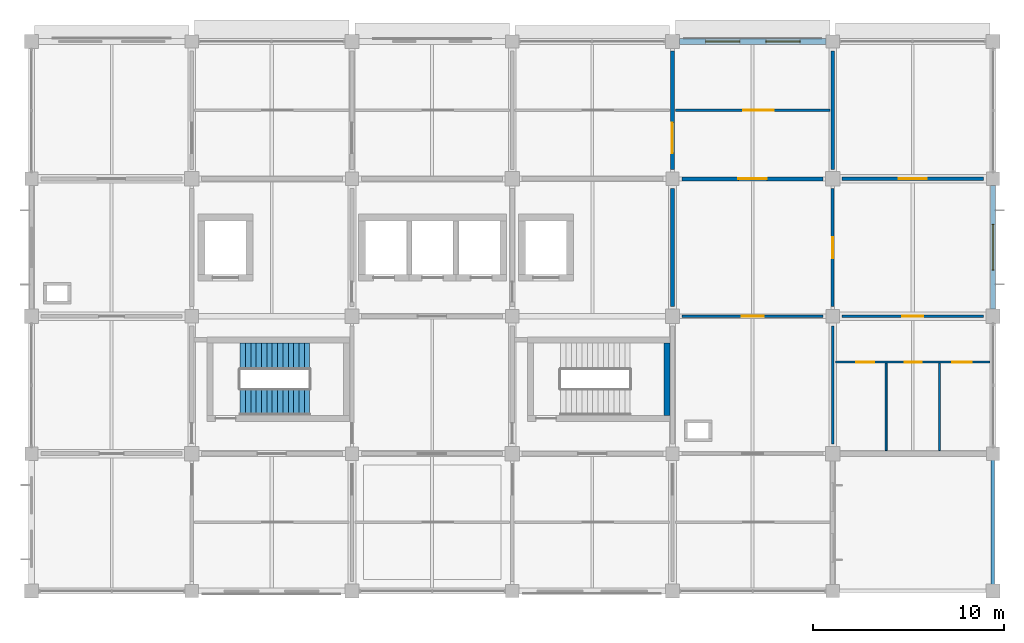
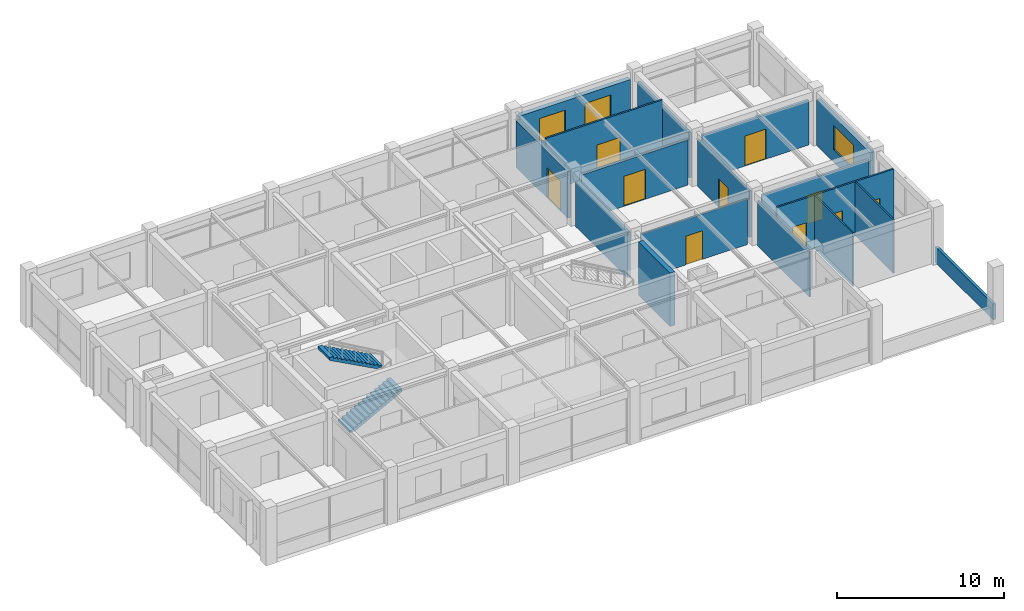
# One storey, part 11 of 14: 17 walls, 10 doors, 3 windows, 2 stair flights, 13 openings, 1 element without a shape of its own.
"""IFC4 building model written with IfcOpenShell, lengths in metres."""

from ifc_helpers import new_model, si_unit, derived_unit, direction, frame, frame_2d, origin, place, context, subcontext, project, spatial, polyline, rectangle, outline, extrude, material, layer, layer_set, type_object, element, fill, aggregate, save


model = new_model("IFC4")

# Units and contexts
model_context = context("Model", 3, precision=1e-05, world=origin(), true_north=direction((0.0, 1.0)))
body_context = subcontext(model_context, "Body", "Model", "MODEL_VIEW")
ifc_project = project(units=[si_unit("LENGTHUNIT", "METRE"), si_unit("AREAUNIT", "SQUARE_METRE"), si_unit("VOLUMEUNIT", "CUBIC_METRE"), si_unit("PLANEANGLEUNIT", "RADIAN"), si_unit("MASSUNIT", "GRAM", prefix="KILO"), derived_unit("THERMALTRANSMITTANCEUNIT", [(si_unit("MASSUNIT", "GRAM", prefix="KILO"), 1), (si_unit("TIMEUNIT", "SECOND"), -3), (si_unit("THERMODYNAMICTEMPERATUREUNIT", "KELVIN"), -1)])], contexts=[model_context])

# Site, building, storey
site_placement = place(None, origin())
site = spatial("IfcSite", under=ifc_project, at=site_placement, CompositionType="ELEMENT")
building_placement = place(site_placement, origin())
building = spatial("IfcBuilding", under=site, at=building_placement, Name="Veldstrom Oceanarium and Marine Research Institute", CompositionType="ELEMENT")
storey_placement = place(building_placement, frame((0.0, 0.0, 35.39990234375)))
storey = spatial("IfcBuildingStorey", under=building, at=storey_placement, Name="L07", CompositionType="ELEMENT", Elevation=35.39990234375)

# Wall, openings, windows
ifc_material_1 = material(Name="Masonry Cavity Wall", Category="masonry")
ifc_layer_1 = layer(ifc_material_1, 0.31005859375)
ifc_layer_set_1 = layer_set([ifc_layer_1], Name="ARC-WAL-EW1")
wall_type_1 = type_object("IfcWallType", Name="ARC-WAL-EW1", PredefinedType="SOLIDWALL", material=ifc_layer_set_1)
wall_1_placement = place(storey_placement, frame((101.175048828125, 72.0, 0.0), z_axis=(0.0, 0.0, 1.0), x_axis=(1.0, 0.0, 0.0)))
wall_1 = element("IfcWall", 1, at=wall_1_placement, inside=storey, type_object=wall_type_1, Name="Exterior Facade Wall EW1 L07-201", PredefinedType="SOLIDWALL", context=body_context, shape_type="SweptSolid", body=[
    extrude(rectangle(XDim=7.675048828125, YDim=0.31005859375, at=frame_2d((3.83740234375, 0.0))), origin(), (0.0, 0.0, 1.0), 3.364990234375),
])
opening_1_placement = place(wall_1_placement, frame((1.3583984375, 0.0, 0.89990234375)))
opening_1 = element("IfcOpeningElement", 2, at=opening_1_placement, cuts=wall_1, Name="Opening W03", PredefinedType="OPENING", context=body_context, shape_type="SweptSolid", body=[
    extrude(rectangle(XDim=1.800048828125, YDim=1.800048828125, at=frame_2d((0.89990234375, 0.89990234375))), frame((0.0, 0.1650390625, 0.0), z_axis=(0.0, -1.0, 0.0), x_axis=(1.0, 0.0, 0.0)), (0.0, 0.0, 1.0), 0.330078125),
])
opening_2_placement = place(wall_1_placement, frame((4.5166015625, 0.0, 0.89990234375)))
opening_2 = element("IfcOpeningElement", 3, at=opening_2_placement, cuts=wall_1, Name="Opening W03", PredefinedType="OPENING", context=body_context, shape_type="SweptSolid", body=[
    extrude(rectangle(XDim=1.800048828125, YDim=1.800048828125, at=frame_2d((0.89990234375, 0.89990234375))), frame((0.0, 0.1650390625, 0.0), z_axis=(0.0, -1.0, 0.0), x_axis=(1.0, 0.0, 0.0)), (0.0, 0.0, 1.0), 0.330078125),
])
ifc_material_2 = material(Name="Double Glazed Low-E IGU", Category="glass")
window_type_1 = type_object("IfcWindowType", Name="ARC-WIN-W03", PartitioningType="SINGLE_PANEL", PredefinedType="WINDOW", material=ifc_material_2)
window_1_placement = place(opening_1_placement, origin())
window_1 = element("IfcWindow", 4, at=window_1_placement, inside=storey, type_object=window_type_1, Name="Facade Window W03 L07-0173", OverallHeight=1.800048828125, OverallWidth=1.800048828125, PartitioningType="SINGLE_PANEL", PredefinedType="WINDOW", context=body_context, shape_type="SweptSolid", body=[
    extrude(rectangle(XDim=1.800048828125, YDim=1.800048828125, at=frame_2d((0.89990234375, 0.89990234375))), frame((0.0, 0.030029296875, 0.0), z_axis=(0.0, -1.0, 0.0), x_axis=(1.0, 0.0, 0.0)), (0.0, 0.0, 1.0), 0.06005859375),
])
fill(opening_1, window_1)
window_2_placement = place(opening_2_placement, origin())
window_2 = element("IfcWindow", 5, at=window_2_placement, inside=storey, type_object=window_type_1, Name="Facade Window W03 L07-0174", OverallHeight=1.800048828125, OverallWidth=1.800048828125, PartitioningType="SINGLE_PANEL", PredefinedType="WINDOW", context=body_context, shape_type="SweptSolid", body=[
    extrude(rectangle(XDim=1.800048828125, YDim=1.800048828125, at=frame_2d((0.89990234375, 0.89990234375))), frame((0.0, 0.030029296875, 0.0), z_axis=(0.0, -1.0, 0.0), x_axis=(1.0, 0.0, 0.0)), (0.0, 0.0, 1.0), 0.06005859375),
])
fill(opening_2, window_2)

# Wall, opening, window
ifc_material_3 = material(Name="Masonry Cavity Wall", Category="masonry")
ifc_layer_2 = layer(ifc_material_3, 0.27001953125)
ifc_layer_set_2 = layer_set([ifc_layer_2], Name="ARC-WAL-EW3")
wall_type_2 = type_object("IfcWallType", Name="ARC-WAL-EW3", PredefinedType="SOLIDWALL", material=ifc_layer_set_2)
wall_2_placement = place(storey_placement, frame((117.60009765625, 57.97509765625, 0.0), z_axis=(0.0, 0.0, 1.0), x_axis=(0.0, 1.0, 0.0)))
wall_2 = element("IfcWall", 6, at=wall_2_placement, inside=storey, type_object=wall_type_2, Name="Exterior Facade Wall EW3 L07-203", PredefinedType="SOLIDWALL", context=body_context, shape_type="SweptSolid", body=[
    extrude(rectangle(XDim=6.474853515625, YDim=0.27001953125, at=frame_2d((3.2373046875, 0.0))), origin(), (0.0, 0.0, 1.0), 3.364990234375),
])
opening_3_placement = place(wall_2_placement, frame((2.03759765625, 0.0, 0.89990234375)))
opening_3 = element("IfcOpeningElement", 7, at=opening_3_placement, cuts=wall_2, Name="Opening W01", PredefinedType="OPENING", context=body_context, shape_type="SweptSolid", body=[
    extrude(rectangle(XDim=2.39990234375, YDim=1.800048828125, at=frame_2d((1.199951171875, 0.89990234375))), frame((0.0, 0.14501953125, 0.0), z_axis=(0.0, -1.0, 0.0), x_axis=(1.0, 0.0, 0.0)), (0.0, 0.0, 1.0), 0.2900390625),
])
ifc_material_4 = material(Name="Double Glazed Low-E IGU", Category="glass")
window_type_2 = type_object("IfcWindowType", Name="ARC-WIN-W01", PartitioningType="SINGLE_PANEL", PredefinedType="WINDOW", material=ifc_material_4)
window_3_placement = place(opening_3_placement, origin())
window_3 = element("IfcWindow", 8, at=window_3_placement, inside=storey, type_object=window_type_2, Name="Facade Window W01 L07-0175", OverallHeight=1.800048828125, OverallWidth=2.39990234375, PartitioningType="SINGLE_PANEL", PredefinedType="WINDOW", context=body_context, shape_type="SweptSolid", body=[
    extrude(rectangle(XDim=2.39990234375, YDim=1.800048828125, at=frame_2d((1.199951171875, 0.89990234375))), frame((0.0, 0.030029296875, 0.0), z_axis=(0.0, -1.0, 0.0), x_axis=(1.0, 0.0, 0.0)), (0.0, 0.0, 1.0), 0.06005859375),
])
fill(opening_3, window_3)

# Walls
ifc_material_5 = material(Name="Masonry Cavity Wall", Category="masonry")
ifc_layer_3 = layer(ifc_material_5, 0.18505859375)
ifc_layer_set_3 = layer_set([ifc_layer_3], Name="ARC-WAL-PR2")
wall_type_3 = type_object("IfcWallType", Name="ARC-WAL-PR2", PredefinedType="PARAPET", material=ifc_layer_set_3)
wall_3_placement = place(storey_placement, frame((117.60009765625, 43.320068359375, 0.0), z_axis=(0.0, 0.0, 1.0), x_axis=(0.0, 1.0, 0.0)))
element("IfcWall", 9, at=wall_3_placement, inside=storey, type_object=wall_type_3, Name="Roof Parapet Wall L06-104", PredefinedType="PARAPET", context=body_context, shape_type="SweptSolid", body=[
    extrude(rectangle(XDim=6.9599609375, YDim=0.18505859375, at=frame_2d((3.47998046875, 0.0))), origin(), (0.0, 0.0, 1.0), 1.150146484375),
])
ifc_material_6 = material(Name="Masonry Fire Compartment Wall", Category="masonry")
ifc_layer_4 = layer(ifc_material_6, 0.22998046875)
ifc_layer_set_4 = layer_set([ifc_layer_4], Name="ARC-WAL-PT1")
wall_type_4 = type_object("IfcWallType", Name="ARC-WAL-PT1", PredefinedType="PARTITIONING", material=ifc_layer_set_4)
wall_4_placement = place(storey_placement, frame((100.800048828125, 58.10009765625, 0.0), z_axis=(0.0, 0.0, 1.0), x_axis=(0.0, 1.0, 0.0)))
element("IfcWall", 10, at=wall_4_placement, inside=storey, type_object=wall_type_4, Name="Interior Partition PT1 L07-1544", PredefinedType="PARTITIONING", context=body_context, shape_type="SweptSolid", body=[
    extrude(rectangle(XDim=6.199951171875, YDim=0.22998046875, at=frame_2d((3.10009765625, 0.0))), origin(), (0.0, 0.0, 1.0), 3.315185546875),
])

# Wall, opening, door
ifc_material_7 = material(Name="Gypsum Acoustic Lab Partition", Category="gypsum")
ifc_layer_5 = layer(ifc_material_7, 0.1201171875)
ifc_layer_set_5 = layer_set([ifc_layer_5], Name="ARC-WAL-PT10")
wall_type_5 = type_object("IfcWallType", Name="ARC-WAL-PT10", PredefinedType="PARTITIONING", material=ifc_layer_set_5)
wall_5_placement = place(storey_placement, frame((100.949951171875, 68.39990234375, 0.0), z_axis=(0.0, 0.0, 1.0), x_axis=(1.0, 0.0, 0.0)))
wall_5 = element("IfcWall", 11, at=wall_5_placement, inside=storey, type_object=wall_type_5, Name="Laboratory Suite Partition L07-12/9", PredefinedType="PARTITIONING", context=body_context, shape_type="SweptSolid", body=[
    extrude(rectangle(XDim=8.10009765625, YDim=0.1201171875, at=frame_2d((4.050048828125, 0.0))), origin(), (0.0, 0.0, 1.0), 3.920166015625),
])
opening_4_placement = place(wall_5_placement, frame((3.550048828125, 0.0, 0.0)))
opening_4 = element("IfcOpeningElement", 12, at=opening_4_placement, cuts=wall_5, Name="Opening D-L07-S912", PredefinedType="OPENING", context=body_context, shape_type="SweptSolid", body=[
    extrude(rectangle(XDim=1.60009765625, YDim=2.199951171875, at=frame_2d((0.800048828125, 1.10009765625))), frame((0.0, 0.070068359375, 0.0), z_axis=(0.0, -1.0, 0.0), x_axis=(1.0, 0.0, 0.0)), (0.0, 0.0, 1.0), 0.14013671875),
])
ifc_material_8 = material(Name="Acoustic Timber Corridor Door", Category="wood")
door_type_1 = type_object("IfcDoorType", Name="ARC-DOR-ID02", OperationType="DOUBLE_DOOR_SINGLE_SWING", PredefinedType="DOOR", material=ifc_material_8)
door_1_placement = place(opening_4_placement, origin())
door_1 = element("IfcDoor", 13, at=door_1_placement, inside=storey, type_object=door_type_1, Name="Suite Interior Door D-L07-S912", OperationType="SINGLE_SWING_RIGHT", OverallHeight=2.199951171875, OverallWidth=1.60009765625, PredefinedType="DOOR", context=body_context, shape_type="SweptSolid", body=[
    extrude(rectangle(XDim=1.60009765625, YDim=2.199951171875, at=frame_2d((0.800048828125, 1.10009765625))), frame((0.0, 0.02490234375, 0.0), z_axis=(0.0, -1.0, 0.0), x_axis=(1.0, 0.0, 0.0)), (0.0, 0.0, 1.0), 0.050048828125),
])
fill(opening_4, door_1)

ifc_material_9 = material(Name="Masonry Acoustic Lab Partition", Category="masonry")
ifc_layer_6 = layer(ifc_material_9, 0.205078125)
ifc_layer_set_6 = layer_set([ifc_layer_6], Name="ARC-WAL-PT2")
wall_type_6 = type_object("IfcWallType", Name="ARC-WAL-PT2", PredefinedType="PARTITIONING", material=ifc_layer_set_6)
wall_6_placement = place(storey_placement, frame((100.800048828125, 65.300048828125, 0.0), z_axis=(0.0, 0.0, 1.0), x_axis=(0.0, 1.0, 0.0)))
wall_6 = element("IfcWall", 14, at=wall_6_placement, inside=storey, type_object=wall_type_6, Name="Interior Partition PT2 L07-1546", PredefinedType="PARTITIONING", context=body_context, shape_type="SweptSolid", body=[
    extrude(rectangle(XDim=6.199951171875, YDim=0.205078125, at=frame_2d((3.10009765625, 0.0))), origin(), (0.0, 0.0, 1.0), 3.4150390625),
])
opening_5_placement = place(wall_6_placement, frame((0.85009765625, 0.0, 0.0)))
opening_5 = element("IfcOpeningElement", 15, at=opening_5_placement, cuts=wall_6, Name="Opening D-L07-931", PredefinedType="OPENING", context=body_context, shape_type="SweptSolid", body=[
    extrude(rectangle(XDim=1.60009765625, YDim=2.199951171875, at=frame_2d((0.800048828125, 1.10009765625))), frame((0.0, 0.112548828125, 0.0), z_axis=(0.0, -1.0, 0.0), x_axis=(1.0, 0.0, 0.0)), (0.0, 0.0, 1.0), 0.22509765625),
])
door_2_placement = place(opening_5_placement, origin())
door_2 = element("IfcDoor", 16, at=door_2_placement, inside=storey, type_object=door_type_1, Name="Interior Door D-L07-931", OperationType="DOUBLE_DOOR_SINGLE_SWING", OverallHeight=2.199951171875, OverallWidth=1.60009765625, PredefinedType="DOOR", context=body_context, shape_type="SweptSolid", body=[
    extrude(rectangle(XDim=1.60009765625, YDim=2.199951171875, at=frame_2d((0.800048828125, 1.10009765625))), frame((0.0, 0.02490234375, 0.0), z_axis=(0.0, -1.0, 0.0), x_axis=(1.0, 0.0, 0.0)), (0.0, 0.0, 1.0), 0.050048828125),
])
fill(opening_5, door_2)

wall_7_placement = place(storey_placement, frame((101.300048828125, 64.800048828125, 0.0), z_axis=(0.0, 0.0, 1.0), x_axis=(1.0, 0.0, 0.0)))
wall_7 = element("IfcWall", 17, at=wall_7_placement, inside=storey, type_object=wall_type_6, Name="Interior Partition PT2 L07-1551", PredefinedType="PARTITIONING", context=body_context, shape_type="SweptSolid", body=[
    extrude(rectangle(XDim=7.39990234375, YDim=0.205078125, at=frame_2d((3.699951171875, 0.0))), origin(), (0.0, 0.0, 1.0), 3.315185546875),
])
opening_6_placement = place(wall_7_placement, frame((2.949951171875, 0.0, 0.0)))
opening_6 = element("IfcOpeningElement", 18, at=opening_6_placement, cuts=wall_7, Name="Opening D-L07-935", PredefinedType="OPENING", context=body_context, shape_type="SweptSolid", body=[
    extrude(rectangle(XDim=1.5, YDim=2.199951171875, at=frame_2d((0.75, 1.10009765625))), frame((0.0, 0.112548828125, 0.0), z_axis=(0.0, -1.0, 0.0), x_axis=(1.0, 0.0, 0.0)), (0.0, 0.0, 1.0), 0.22509765625),
])
ifc_material_10 = material(Name="Laboratory Double Leaf Door", Category="timber")
door_type_2 = type_object("IfcDoorType", Name="ARC-DOR-ID03", OperationType="DOUBLE_DOOR_SINGLE_SWING", PredefinedType="DOOR", material=ifc_material_10)
door_3_placement = place(opening_6_placement, frame((1.5, 0.0, 0.0), z_axis=(0.0, 0.0, 1.0), x_axis=(-1.0, 0.0, 0.0)))
door_3 = element("IfcDoor", 19, at=door_3_placement, inside=storey, type_object=door_type_2, Name="Interior Door D-L07-935", OperationType="DOUBLE_DOOR_SINGLE_SWING", OverallHeight=2.199951171875, OverallWidth=1.5, PredefinedType="DOOR", context=body_context, shape_type="SweptSolid", body=[
    extrude(rectangle(XDim=1.5, YDim=2.199951171875, at=frame_2d((0.75, 1.10009765625))), frame((0.0, 0.02490234375, 0.0), z_axis=(0.0, -1.0, 0.0), x_axis=(1.0, 0.0, 0.0)), (0.0, 0.0, 1.0), 0.050048828125),
])
fill(opening_6, door_3)

# Wall
ifc_material_11 = material(Name="Drywall Acoustic Partition", Category="gypsum")
ifc_layer_7 = layer(ifc_material_11, 0.175048828125)
ifc_layer_set_7 = layer_set([ifc_layer_7], Name="ARC-WAL-PT3")
wall_type_7 = type_object("IfcWallType", Name="ARC-WAL-PT3", PredefinedType="PARTITIONING", material=ifc_layer_set_7)
wall_8_placement = place(storey_placement, frame((109.199951171875, 65.300048828125, 0.0), z_axis=(0.0, 0.0, 1.0), x_axis=(0.0, 1.0, 0.0)))
element("IfcWall", 20, at=wall_8_placement, inside=storey, type_object=wall_type_7, Name="Interior Partition PT3 L07-1552", PredefinedType="PARTITIONING", context=body_context, shape_type="SweptSolid", body=[
    extrude(rectangle(XDim=6.199951171875, YDim=0.175048828125, at=frame_2d((3.10009765625, 0.0))), origin(), (0.0, 0.0, 1.0), 3.315185546875),
])

# Wall, opening, door
wall_9_placement = place(storey_placement, frame((109.699951171875, 64.800048828125, 0.0), z_axis=(0.0, 0.0, 1.0), x_axis=(1.0, 0.0, 0.0)))
wall_9 = element("IfcWall", 21, at=wall_9_placement, inside=storey, type_object=wall_type_7, Name="Interior Partition PT3 L07-1554", PredefinedType="PARTITIONING", context=body_context, shape_type="SweptSolid", body=[
    extrude(rectangle(XDim=7.400146484375, YDim=0.175048828125, at=frame_2d((3.7001953125, 0.0))), origin(), (0.0, 0.0, 1.0), 3.26513671875),
])
opening_7_placement = place(wall_9_placement, frame((2.97509765625, 0.0, 0.0)))
opening_7 = element("IfcOpeningElement", 22, at=opening_7_placement, cuts=wall_9, Name="Opening D-L07-937", PredefinedType="OPENING", context=body_context, shape_type="SweptSolid", body=[
    extrude(rectangle(XDim=1.449951171875, YDim=2.199951171875, at=frame_2d((0.72509765625, 1.10009765625))), frame((0.0, 0.097412109375, 0.0), z_axis=(0.0, -1.0, 0.0), x_axis=(1.0, 0.0, 0.0)), (0.0, 0.0, 1.0), 0.195068359375),
])
ifc_material_12 = material(Name="Curatorial Archive Door", Category="timber")
door_type_3 = type_object("IfcDoorType", Name="ARC-DOR-ID14", OperationType="DOUBLE_DOOR_SINGLE_SWING", PredefinedType="DOOR", material=ifc_material_12)
door_4_placement = place(opening_7_placement, origin())
door_4 = element("IfcDoor", 23, at=door_4_placement, inside=storey, type_object=door_type_3, Name="Interior Door D-L07-937", OperationType="DOUBLE_DOOR_SINGLE_SWING", OverallHeight=2.199951171875, OverallWidth=1.449951171875, PredefinedType="DOOR", context=body_context, shape_type="SweptSolid", body=[
    extrude(rectangle(XDim=1.449951171875, YDim=2.199951171875, at=frame_2d((0.72509765625, 1.10009765625))), frame((0.0, 0.02490234375, 0.0), z_axis=(0.0, -1.0, 0.0), x_axis=(1.0, 0.0, 0.0)), (0.0, 0.0, 1.0), 0.050048828125),
])
fill(opening_7, door_4)

ifc_material_13 = material(Name="Drywall Corridor Partition", Category="gypsum")
ifc_layer_8 = layer(ifc_material_13, 0.155029296875)
ifc_layer_set_8 = layer_set([ifc_layer_8], Name="ARC-WAL-PT4")
wall_type_8 = type_object("IfcWallType", Name="ARC-WAL-PT4", PredefinedType="PARTITIONING", material=ifc_layer_set_8)
wall_10_placement = place(storey_placement, frame((109.199951171875, 58.10009765625, 0.0), z_axis=(0.0, 0.0, 1.0), x_axis=(0.0, 1.0, 0.0)))
wall_10 = element("IfcWall", 24, at=wall_10_placement, inside=storey, type_object=wall_type_8, Name="Interior Partition PT4 L07-1550", PredefinedType="PARTITIONING", context=body_context, shape_type="SweptSolid", body=[
    extrude(rectangle(XDim=6.199951171875, YDim=0.155029296875, at=frame_2d((3.10009765625, 0.0))), origin(), (0.0, 0.0, 1.0), 3.4150390625),
])
opening_8_placement = place(wall_10_placement, frame((2.550048828125, 0.0, 0.0)))
opening_8 = element("IfcOpeningElement", 25, at=opening_8_placement, cuts=wall_10, Name="Opening D-L07-934", PredefinedType="OPENING", context=body_context, shape_type="SweptSolid", body=[
    extrude(rectangle(XDim=1.10009765625, YDim=2.10009765625, at=frame_2d((0.550048828125, 1.050048828125))), frame((0.0, 0.08740234375, 0.0), z_axis=(0.0, -1.0, 0.0), x_axis=(1.0, 0.0, 0.0)), (0.0, 0.0, 1.0), 0.175048828125),
])
ifc_material_14 = material(Name="Research Office Door", Category="timber")
door_type_4 = type_object("IfcDoorType", Name="ARC-DOR-ID07", OperationType="SINGLE_SWING_LEFT", PredefinedType="DOOR", material=ifc_material_14)
door_5_placement = place(opening_8_placement, origin())
door_5 = element("IfcDoor", 26, at=door_5_placement, inside=storey, type_object=door_type_4, Name="Interior Door D-L07-934", OperationType="SINGLE_SWING_RIGHT", OverallHeight=2.10009765625, OverallWidth=1.10009765625, PredefinedType="DOOR", context=body_context, shape_type="SweptSolid", body=[
    extrude(rectangle(XDim=1.10009765625, YDim=2.10009765625, at=frame_2d((0.550048828125, 1.050048828125))), frame((0.0, 0.02490234375, 0.0), z_axis=(0.0, -1.0, 0.0), x_axis=(1.0, 0.0, 0.0)), (0.0, 0.0, 1.0), 0.050048828125),
])
fill(opening_8, door_5)

wall_11_placement = place(storey_placement, frame((109.699951171875, 57.60009765625, 0.0), z_axis=(0.0, 0.0, 1.0), x_axis=(1.0, 0.0, 0.0)))
wall_11 = element("IfcWall", 27, at=wall_11_placement, inside=storey, type_object=wall_type_8, Name="Interior Partition PT4 L07-1553", PredefinedType="PARTITIONING", context=body_context, shape_type="SweptSolid", body=[
    extrude(rectangle(XDim=7.400146484375, YDim=0.155029296875, at=frame_2d((3.7001953125, 0.0))), origin(), (0.0, 0.0, 1.0), 3.26513671875),
])
opening_9_placement = place(wall_11_placement, frame((3.14990234375, 0.0, 0.0)))
opening_9 = element("IfcOpeningElement", 28, at=opening_9_placement, cuts=wall_11, Name="Opening D-L07-936", PredefinedType="OPENING", context=body_context, shape_type="SweptSolid", body=[
    extrude(rectangle(XDim=1.10009765625, YDim=2.10009765625, at=frame_2d((0.550048828125, 1.050048828125))), frame((0.0, 0.08740234375, 0.0), z_axis=(0.0, -1.0, 0.0), x_axis=(1.0, 0.0, 0.0)), (0.0, 0.0, 1.0), 0.175048828125),
])
door_6_placement = place(opening_9_placement, frame((1.10009765625, 0.0, 0.0), z_axis=(0.0, 0.0, 1.0), x_axis=(-1.0, 0.0, 0.0)))
door_6 = element("IfcDoor", 29, at=door_6_placement, inside=storey, type_object=door_type_4, Name="Interior Door D-L07-936", OperationType="SINGLE_SWING_LEFT", OverallHeight=2.10009765625, OverallWidth=1.10009765625, PredefinedType="DOOR", context=body_context, shape_type="SweptSolid", body=[
    extrude(rectangle(XDim=1.10009765625, YDim=2.10009765625, at=frame_2d((0.550048828125, 1.050048828125))), frame((0.0, 0.02490234375, 0.0), z_axis=(0.0, -1.0, 0.0), x_axis=(1.0, 0.0, 0.0)), (0.0, 0.0, 1.0), 0.050048828125),
])
fill(opening_9, door_6)

ifc_material_15 = material(Name="Moisture-Resistant Wet-Area Partition", Category="masonry")
ifc_layer_9 = layer(ifc_material_15, 0.139892578125)
ifc_layer_set_9 = layer_set([ifc_layer_9], Name="ARC-WAL-PT5")
wall_type_9 = type_object("IfcWallType", Name="ARC-WAL-PT5", PredefinedType="PARTITIONING", material=ifc_layer_set_9)
wall_12_placement = place(storey_placement, frame((101.300048828125, 57.60009765625, 0.0), z_axis=(0.0, 0.0, 1.0), x_axis=(1.0, 0.0, 0.0)))
wall_12 = element("IfcWall", 30, at=wall_12_placement, inside=storey, type_object=wall_type_9, Name="Interior Partition PT5 L07-1549", PredefinedType="PARTITIONING", context=body_context, shape_type="SweptSolid", body=[
    extrude(rectangle(XDim=7.39990234375, YDim=0.139892578125, at=frame_2d((3.699951171875, 0.0))), origin(), (0.0, 0.0, 1.0), 3.315185546875),
])
opening_10_placement = place(wall_12_placement, frame((3.125, 0.0, 0.0)))
opening_10 = element("IfcOpeningElement", 31, at=opening_10_placement, cuts=wall_12, Name="Opening D-L07-933", PredefinedType="OPENING", context=body_context, shape_type="SweptSolid", body=[
    extrude(rectangle(XDim=1.14990234375, YDim=2.10009765625, at=frame_2d((0.574951171875, 1.050048828125))), frame((0.0, 0.079833984375, 0.0), z_axis=(0.0, -1.0, 0.0), x_axis=(1.0, 0.0, 0.0)), (0.0, 0.0, 1.0), 0.159912109375),
])
ifc_material_16 = material(Name="Fellows Studio Door", Category="timber")
door_type_5 = type_object("IfcDoorType", Name="ARC-DOR-ID17", OperationType="SINGLE_SWING_LEFT", PredefinedType="DOOR", material=ifc_material_16)
door_7_placement = place(opening_10_placement, origin())
door_7 = element("IfcDoor", 32, at=door_7_placement, inside=storey, type_object=door_type_5, Name="Interior Door D-L07-933", OperationType="SINGLE_SWING_LEFT", OverallHeight=2.10009765625, OverallWidth=1.14990234375, PredefinedType="DOOR", context=body_context, shape_type="SweptSolid", body=[
    extrude(rectangle(XDim=1.14990234375, YDim=2.10009765625, at=frame_2d((0.574951171875, 1.050048828125))), frame((0.0, 0.02490234375, 0.0), z_axis=(0.0, -1.0, 0.0), x_axis=(1.0, 0.0, 0.0)), (0.0, 0.0, 1.0), 0.050048828125),
])
fill(opening_10, door_7)

# Wall, openings, doors
ifc_material_17 = material(Name="Lightweight Studio Partition", Category="gypsum")
ifc_layer_10 = layer(ifc_material_17, 0.1201171875)
ifc_layer_set_10 = layer_set([ifc_layer_10], Name="ARC-WAL-PT6")
wall_type_10 = type_object("IfcWallType", Name="ARC-WAL-PT6", PredefinedType="PARTITIONING", material=ifc_layer_set_10)
wall_13_placement = place(storey_placement, frame((109.35009765625, 55.199951171875, 0.0), z_axis=(0.0, 0.0, 1.0), x_axis=(1.0, 0.0, 0.0)))
wall_13 = element("IfcWall", 33, at=wall_13_placement, inside=storey, type_object=wall_type_10, Name="Sanitary Vestibule Partition L07-13", PredefinedType="PARTITIONING", context=body_context, shape_type="SweptSolid", body=[
    extrude(rectangle(XDim=8.099853515625, YDim=0.1201171875, at=frame_2d((4.0498046875, 0.0))), origin(), (0.0, 0.0, 1.0), 3.920166015625),
])
opening_11_placement = place(wall_13_placement, frame((1.080078125, 0.0, 0.0)))
opening_11 = element("IfcOpeningElement", 34, at=opening_11_placement, cuts=wall_13, Name="Opening D-L07-WC902", PredefinedType="OPENING", context=body_context, shape_type="SweptSolid", body=[
    extrude(rectangle(XDim=0.949951171875, YDim=2.10009765625, at=frame_2d((0.47509765625, 1.050048828125))), frame((0.0, 0.070068359375, 0.0), z_axis=(0.0, -1.0, 0.0), x_axis=(1.0, 0.0, 0.0)), (0.0, 0.0, 1.0), 0.14013671875),
])
opening_12_placement = place(wall_13_placement, frame((3.6298828125, 0.0, 0.0)))
opening_12 = element("IfcOpeningElement", 35, at=opening_12_placement, cuts=wall_13, Name="Opening D-L07-WC903", PredefinedType="OPENING", context=body_context, shape_type="SweptSolid", body=[
    extrude(rectangle(XDim=0.89990234375, YDim=2.10009765625, at=frame_2d((0.449951171875, 1.050048828125))), frame((0.0, 0.070068359375, 0.0), z_axis=(0.0, -1.0, 0.0), x_axis=(1.0, 0.0, 0.0)), (0.0, 0.0, 1.0), 0.14013671875),
])
opening_13_placement = place(wall_13_placement, frame((6.1298828125, 0.0, 0.0)))
opening_13 = element("IfcOpeningElement", 36, at=opening_13_placement, cuts=wall_13, Name="Opening D-L07-WC904", PredefinedType="OPENING", context=body_context, shape_type="SweptSolid", body=[
    extrude(rectangle(XDim=1.0, YDim=2.10009765625, at=frame_2d((0.5, 1.050048828125))), frame((0.0, 0.070068359375, 0.0), z_axis=(0.0, -1.0, 0.0), x_axis=(1.0, 0.0, 0.0)), (0.0, 0.0, 1.0), 0.14013671875),
])
ifc_material_18 = material(Name="Accessible Sanitary Door", Category="timber")
door_type_6 = type_object("IfcDoorType", Name="ARC-DOR-ID08", OperationType="SINGLE_SWING_RIGHT", PredefinedType="DOOR", material=ifc_material_18)
door_8_placement = place(opening_13_placement, frame((1.0, 0.0, 0.0), z_axis=(0.0, 0.0, 1.0), x_axis=(-1.0, 0.0, 0.0)))
door_8 = element("IfcDoor", 37, at=door_8_placement, inside=storey, type_object=door_type_6, Name="Accessible WC Door D-L07-WC904", OperationType="SINGLE_SWING_RIGHT", OverallHeight=2.10009765625, OverallWidth=1.0, PredefinedType="DOOR", context=body_context, shape_type="SweptSolid", body=[
    extrude(rectangle(XDim=1.0, YDim=2.10009765625, at=frame_2d((0.5, 1.050048828125))), frame((0.0, 0.02490234375, 0.0), z_axis=(0.0, -1.0, 0.0), x_axis=(1.0, 0.0, 0.0)), (0.0, 0.0, 1.0), 0.050048828125),
])
fill(opening_13, door_8)
ifc_material_19 = material(Name="Staff Sanitary Door", Category="timber")
door_type_7 = type_object("IfcDoorType", Name="ARC-DOR-ID09", OperationType="SINGLE_SWING_LEFT", PredefinedType="DOOR", material=ifc_material_19)
door_9_placement = place(opening_11_placement, frame((0.949951171875, 0.0, 0.0), z_axis=(0.0, 0.0, 1.0), x_axis=(-1.0, 0.0, 0.0)))
door_9 = element("IfcDoor", 38, at=door_9_placement, inside=storey, type_object=door_type_7, Name="Male WC Door D-L07-WC902", OperationType="SINGLE_SWING_RIGHT", OverallHeight=2.10009765625, OverallWidth=0.949951171875, PredefinedType="DOOR", context=body_context, shape_type="SweptSolid", body=[
    extrude(rectangle(XDim=0.949951171875, YDim=2.10009765625, at=frame_2d((0.47509765625, 1.050048828125))), frame((0.0, 0.02490234375, 0.0), z_axis=(0.0, -1.0, 0.0), x_axis=(1.0, 0.0, 0.0)), (0.0, 0.0, 1.0), 0.050048828125),
])
fill(opening_11, door_9)
ifc_material_20 = material(Name="Internal Sanitary Door", Category="timber")
door_type_8 = type_object("IfcDoorType", Name="ARC-DOR-ID10", OperationType="SINGLE_SWING_RIGHT", PredefinedType="DOOR", material=ifc_material_20)
door_10_placement = place(opening_12_placement, frame((0.89990234375, 0.0, 0.0), z_axis=(0.0, 0.0, 1.0), x_axis=(-1.0, 0.0, 0.0)))
door_10 = element("IfcDoor", 39, at=door_10_placement, inside=storey, type_object=door_type_8, Name="Female WC Door D-L07-WC903", OperationType="SINGLE_SWING_LEFT", OverallHeight=2.10009765625, OverallWidth=0.89990234375, PredefinedType="DOOR", context=body_context, shape_type="SweptSolid", body=[
    extrude(rectangle(XDim=0.89990234375, YDim=2.10009765625, at=frame_2d((0.449951171875, 1.050048828125))), frame((0.0, 0.02490234375, 0.0), z_axis=(0.0, -1.0, 0.0), x_axis=(1.0, 0.0, 0.0)), (0.0, 0.0, 1.0), 0.050048828125),
])
fill(opening_12, door_10)

# Walls
wall_14_placement = place(storey_placement, frame((109.199951171875, 50.89990234375, 0.0), z_axis=(0.0, 0.0, 1.0), x_axis=(0.0, 1.0, 0.0)))
element("IfcWall", 40, at=wall_14_placement, inside=storey, type_object=wall_type_10, Name="Interior Partition PT6 L07-1548", PredefinedType="PARTITIONING", context=body_context, shape_type="SweptSolid", body=[
    extrude(rectangle(XDim=6.2001953125, YDim=0.1201171875, at=frame_2d((3.10009765625, 0.0))), origin(), (0.0, 0.0, 1.0), 3.315185546875),
])
ifc_material_21 = material(Name="Sanitary Cubicle Partition", Category="gypsum")
ifc_layer_11 = layer(ifc_material_21, 0.10009765625)
ifc_layer_set_11 = layer_set([ifc_layer_11], Name="ARC-WAL-PT7")
wall_type_11 = type_object("IfcWallType", Name="ARC-WAL-PT7", PredefinedType="PARTITIONING", material=ifc_layer_set_11)
for number, where, z_axis, x_axis, name in (
    (41, (112.0, 50.550048828125, 0.0), (0.0, 0.0, 1.0), (0.0, 1.0, 0.0), "Sanitary Stall Divider Wall L07-1509"),
    (42, (114.800048828125, 50.550048828125, 0.0), (0.0, 0.0, 1.0), (0.0, 1.0, 0.0), "Sanitary Stall Divider Wall L07-1510"),
):
    element("IfcWall", number, at=place(storey_placement, frame(where, z_axis=z_axis, x_axis=x_axis)), inside=storey, type_object=wall_type_11, Name=name, PredefinedType="PARTITIONING", context=body_context, shape_type="SweptSolid", body=[
        extrude(rectangle(XDim=4.58984375, YDim=0.10009765625, at=frame_2d((2.294921875, 0.0))), origin(), (0.0, 0.0, 1.0), 3.920166015625),
    ])
ifc_material_22 = material(Name="Concrete C40/50", Category="concrete")
ifc_layer_12 = layer(ifc_material_22, 0.320068359375)
ifc_layer_set_12 = layer_set([ifc_layer_12], Name="STR-WAL-WC3")
wall_type_12 = type_object("IfcWallType", Name="STR-WAL-WC3", PredefinedType="SHEAR", material=ifc_layer_set_12)
wall_15_placement = place(storey_placement, frame((100.52001953125, 52.39990234375, 0.0), z_axis=(0.0, 0.0, 1.0), x_axis=(0.0, 1.0, 0.0)))
element("IfcWall", 43, at=wall_15_placement, inside=storey, type_object=wall_type_12, Name="Stair Core Shear Wall SC2-L07-E", PredefinedType="SHEAR", context=body_context, shape_type="SweptSolid", body=[
    extrude(rectangle(XDim=3.800048828125, YDim=0.320068359375, at=frame_2d((1.89990234375, 0.0))), origin(), (0.0, 0.0, 1.0), 3.920166015625),
])

# Stair, stair flights
ifc_material_23 = material(Name="Concrete C40/50", Category="concrete")
stair_type = type_object("IfcStairType", Name="ARC-STR-ST-420", PredefinedType="TWO_STRAIGHT_RUN_STAIR", material=ifc_material_23)
stair_placement = place(storey_placement, origin())
stair = element("IfcStair", 44, at=stair_placement, inside=storey, type_object=stair_type, Name="Dog-Leg Escape Stair ST1-L07", PredefinedType="TWO_STRAIGHT_RUN_STAIR")
ifc_material_24 = material(Name="Concrete C40/50", Category="concrete")
stair_flight_type = type_object("IfcStairFlightType", Name="ARC-STF-ST-420", PredefinedType="STRAIGHT", material=ifc_material_24)
stair_flight_1_placement = place(storey_placement, frame((78.139892578125, 53.10009765625, 0.0), z_axis=(0.0, 0.0, 1.0), x_axis=(1.0, 0.0, 0.0)))
stair_flight_1 = element("IfcStairFlight", 45, at=stair_flight_1_placement, type_object=stair_flight_type, Name="Stair Flight ST1-L07-1", NumberOfRisers=14, NumberOfTreads=13, PredefinedType="STRAIGHT", RiserHeight=0.15, TreadLength=0.28, context=body_context, shape_type="SweptSolid", body=[
    extrude(outline(polyline([(0.0, 0.0), (0.0, 0.14990234375), (0.280029296875, 0.14990234375), (0.280029296875, 0.300048828125), (0.56005859375, 0.300048828125), (0.56005859375, 0.449951171875), (0.840087890625, 0.449951171875), (0.840087890625, 0.60009765625), (1.1201171875, 0.60009765625), (1.1201171875, 0.75), (1.39990234375, 0.75), (1.39990234375, 0.89990234375), (1.679931640625, 0.89990234375), (1.679931640625, 1.050048828125), (1.9599609375, 1.050048828125), (1.9599609375, 1.199951171875), (2.239990234375, 1.199951171875), (2.239990234375, 1.35009765625), (2.52001953125, 1.35009765625), (2.52001953125, 1.5), (2.800048828125, 1.5), (2.800048828125, 1.64990234375), (3.080078125, 1.64990234375), (3.080078125, 1.800048828125), (3.360107421875, 1.800048828125), (3.360107421875, 1.949951171875), (3.639892578125, 1.949951171875), (3.639892578125, 2.10009765625), (3.639892578125, 1.745849609375), (0.381103515625, 0.0), (0.0, 0.0)])), frame((0.0, 0.699951171875, 0.0), z_axis=(0.0, -1.0, 0.0), x_axis=(1.0, 0.0, 0.0)), (0.0, 0.0, 1.0), 1.39990234375),
])
stair_flight_2_placement = place(storey_placement, frame((81.780029296875, 55.5, 2.10009765625), z_axis=(0.0, 0.0, 1.0), x_axis=(-1.0, 0.0, 0.0)))
stair_flight_2 = element("IfcStairFlight", 46, at=stair_flight_2_placement, type_object=stair_flight_type, Name="Stair Flight ST1-L07-2", NumberOfRisers=14, NumberOfTreads=13, PredefinedType="STRAIGHT", RiserHeight=0.15, TreadLength=0.28, context=body_context, shape_type="SweptSolid", body=[
    extrude(outline(polyline([(0.0, 0.0), (0.0, 0.14990234375), (0.280029296875, 0.14990234375), (0.280029296875, 0.300048828125), (0.56005859375, 0.300048828125), (0.56005859375, 0.449951171875), (0.840087890625, 0.449951171875), (0.840087890625, 0.60009765625), (1.1201171875, 0.60009765625), (1.1201171875, 0.75), (1.39990234375, 0.75), (1.39990234375, 0.89990234375), (1.679931640625, 0.89990234375), (1.679931640625, 1.050048828125), (1.9599609375, 1.050048828125), (1.9599609375, 1.199951171875), (2.239990234375, 1.199951171875), (2.239990234375, 1.35009765625), (2.52001953125, 1.35009765625), (2.52001953125, 1.5), (2.800048828125, 1.5), (2.800048828125, 1.64990234375), (3.080078125, 1.64990234375), (3.080078125, 1.800048828125), (3.360107421875, 1.800048828125), (3.360107421875, 1.949951171875), (3.639892578125, 1.949951171875), (3.639892578125, 2.10009765625), (3.639892578125, 1.745849609375), (0.381103515625, 0.0), (0.0, 0.0)])), frame((0.0, 0.699951171875, 0.0), z_axis=(0.0, -1.0, 0.0), x_axis=(1.0, 0.0, 0.0)), (0.0, 0.0, 1.0), 1.39990234375),
])
aggregate(stair, [stair_flight_1, stair_flight_2])

save(model, "model.ifc")
